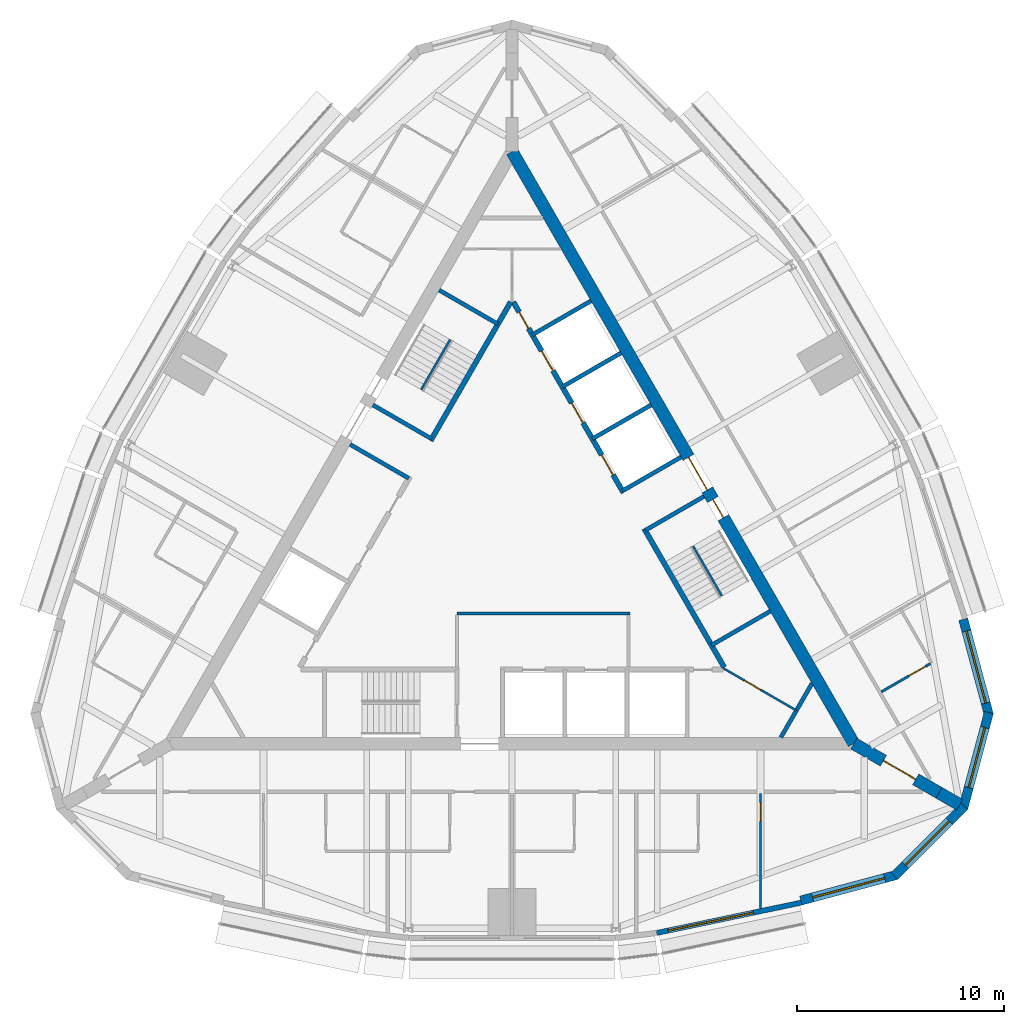
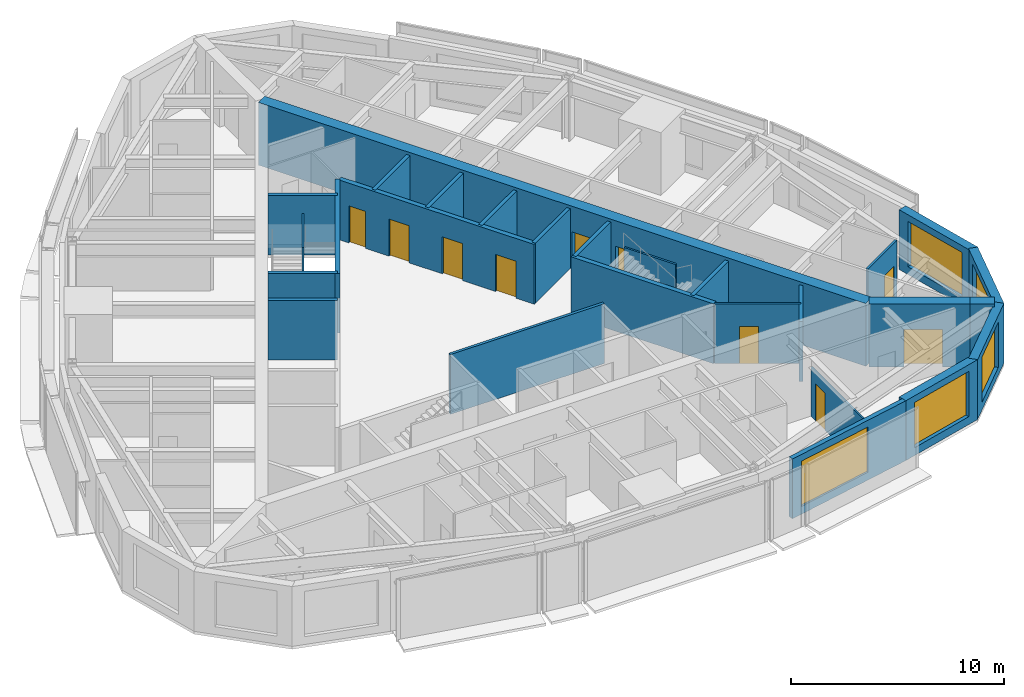
# One storey, part 9 of 12: 27 walls, 10 doors, 5 windows, 15 openings.
"""IFC4 building model written with IfcOpenShell, lengths in metres."""

from ifc_helpers import new_model, si_unit, direction, frame, frame_2d, origin, place, context, subcontext, project, spatial, polyline, rectangle, outline, extrude, material, layer, layer_set, type_object, element, fill, save


model = new_model("IFC4")

# Units and contexts
model_context = context("Model", 3, precision=1e-05, world=origin(), true_north=direction((0.0, 1.0)))
body_context = subcontext(model_context, "Body", "Model", "MODEL_VIEW")
ifc_project = project(units=[si_unit("LENGTHUNIT", "METRE"), si_unit("AREAUNIT", "SQUARE_METRE"), si_unit("VOLUMEUNIT", "CUBIC_METRE"), si_unit("PLANEANGLEUNIT", "RADIAN"), si_unit("MASSUNIT", "GRAM", prefix="KILO")], contexts=[model_context])

# Site, building, storey
site_placement = place(None, origin())
site = spatial("IfcSite", under=ifc_project, at=site_placement, CompositionType="ELEMENT")
building_placement = place(site_placement, origin())
building = spatial("IfcBuilding", under=site, at=building_placement, Name="Trikona Tower", CompositionType="ELEMENT")
storey_placement = place(building_placement, frame((0.0, 0.0, 264.5)))
storey = spatial("IfcBuildingStorey", under=building, at=storey_placement, Name="L70", CompositionType="ELEMENT", Elevation=264.5)

# Wall, opening, door
ifc_material_1 = material(Name="Metal stud and cement board", Category="gypsum")
ifc_layer_1 = layer(ifc_material_1, 0.1201171875)
ifc_layer_set_1 = layer_set([ifc_layer_1], Name="Bathroom wall 120")
wall_type_1 = type_object("IfcWallType", Name="Bathroom wall 120", PredefinedType="PLUMBINGWALL", material=ifc_layer_set_1)
wall_1_placement = place(storey_placement, frame((17.82861328125, -7.027099609375, 0.0), z_axis=(0.0, 0.0, 1.0), x_axis=(0.866035715982, 0.499982138324, 0.0)))
wall_1 = element("IfcWall", 1, at=wall_1_placement, inside=storey, type_object=wall_type_1, Name="Bathroom wall 7005.1", PredefinedType="PLUMBINGWALL", context=body_context, shape_type="SweptSolid", body=[
    extrude(rectangle(XDim=2.73974609375, YDim=0.1201171875, at=frame_2d((1.369873046875, 0.0))), origin(), (0.0, 0.0, 1.0), 3.43505859375),
])
opening_1_placement = place(wall_1_placement, frame((1.550048828125, 0.0, 0.0)))
opening_1 = element("IfcOpeningElement", 2, at=opening_1_placement, cuts=wall_1, Name="Opening D2", PredefinedType="OPENING", context=body_context, shape_type="SweptSolid", body=[
    extrude(rectangle(XDim=0.89990234375, YDim=2.1298828125, at=frame_2d((0.449951171875, 1.06494140625))), frame((0.0, 0.070068359375, 0.0), z_axis=(0.0, -1.0, 0.0), x_axis=(1.0, 0.0, 0.0)), (0.0, 0.0, 1.0), 0.14013671875),
])
ifc_material_2 = material(Name="Steel door frame with solid-core timber leaf", Category="steel")
door_type_1 = type_object("IfcDoorType", Name="Bathroom door 900x2130", OperationType="SLIDING_TO_LEFT", PredefinedType="DOOR", material=ifc_material_2)
door_1_placement = place(opening_1_placement, origin())
door_1 = element("IfcDoor", 3, at=door_1_placement, inside=storey, type_object=door_type_1, Name="Bathroom door 7005.1", OperationType="SLIDING_TO_LEFT", OverallHeight=2.1298828125, OverallWidth=0.89990234375, PredefinedType="DOOR", context=body_context, shape_type="SweptSolid", body=[
    extrude(rectangle(XDim=0.89990234375, YDim=2.1298828125, at=frame_2d((0.449951171875, 1.06494140625))), frame((0.0, 0.02490234375, 0.0), z_axis=(0.0, -1.0, 0.0), x_axis=(1.0, 0.0, 0.0)), (0.0, 0.0, 1.0), 0.050048828125),
])
fill(opening_1, door_1)

# Wall, opening, window
ifc_material_3 = material(Name="Brick-faced precast concrete", Category="masonry")
ifc_layer_2 = layer(ifc_material_3, 0.449951171875)
ifc_layer_set_2 = layer_set([ifc_layer_2], Name="Brick-faced corner wall 450")
wall_type_2 = type_object("IfcWallType", Name="Brick-faced corner wall 450", PredefinedType="SOLIDWALL", material=ifc_layer_set_2)
wall_2_placement = place(storey_placement, frame((13.94189453125, -17.103271484375, 0.0), z_axis=(0.0, 0.0, 1.0), x_axis=(0.965913862671, 0.258863689806, 0.0)))
wall_2 = element("IfcWall", 4, at=wall_2_placement, inside=storey, type_object=wall_type_2, Name="External wall L70-05", PredefinedType="SOLIDWALL", context=body_context, shape_type="SweptSolid", body=[
    extrude(rectangle(XDim=4.78173828125, YDim=0.449951171875, at=frame_2d((2.390869140625, 0.0))), origin(), (0.0, 0.0, 1.0), 3.43505859375),
])
opening_2_placement = place(wall_2_placement, frame((0.5908203125, 0.0, 0.449951171875)))
opening_2 = element("IfcOpeningElement", 5, at=opening_2_placement, cuts=wall_2, Name="Opening W3626", PredefinedType="OPENING", context=body_context, shape_type="SweptSolid", body=[
    extrude(rectangle(XDim=3.60009765625, YDim=2.60009765625, at=frame_2d((1.800048828125, 1.300048828125))), frame((0.0, 0.23486328125, 0.0), z_axis=(0.0, -1.0, 0.0), x_axis=(1.0, 0.0, 0.0)), (0.0, 0.0, 1.0), 0.469970703125),
])
ifc_material_4 = material(Name="Aluminium-framed double glazing", Category="aluminium")
window_type_1 = type_object("IfcWindowType", Name="Window 3600x2600", PartitioningType="SINGLE_PANEL", PredefinedType="WINDOW", material=ifc_material_4)
window_1_placement = place(opening_2_placement, origin())
window_1 = element("IfcWindow", 6, at=window_1_placement, inside=storey, type_object=window_type_1, Name="Window 7004", OverallHeight=2.60009765625, OverallWidth=3.60009765625, PartitioningType="SINGLE_PANEL", PredefinedType="WINDOW", context=body_context, shape_type="SweptSolid", body=[
    extrude(rectangle(XDim=3.60009765625, YDim=2.60009765625, at=frame_2d((1.800048828125, 1.300048828125))), frame((0.0, 0.030029296875, 0.0), z_axis=(0.0, -1.0, 0.0), x_axis=(1.0, 0.0, 0.0)), (0.0, 0.0, 1.0), 0.06005859375),
])
fill(opening_2, window_1)

wall_3_placement = place(storey_placement, frame((18.459716796875, -15.923828125, 0.0), z_axis=(0.0, 0.0, 1.0), x_axis=(0.707081252484, 0.707132308968, 0.0)))
wall_3 = element("IfcWall", 7, at=wall_3_placement, inside=storey, type_object=wall_type_2, Name="External wall L70-06", PredefinedType="SOLIDWALL", context=body_context, shape_type="SweptSolid", body=[
    extrude(outline(polyline([(4.78173828125, 0.22509765625), (4.722900390625, 0.22509765625), (4.37548828125, 0.1318359375), (4.3505859375, 0.22509765625), (0.0, 0.22509765625), (0.0, -0.22509765625), (4.78173828125, -0.22509765625), (4.78173828125, 0.22509765625)])), origin(), (0.0, 0.0, 1.0), 3.43505859375),
])
opening_3_placement = place(wall_3_placement, frame((0.750244140625, 0.0, 0.449951171875)))
opening_3 = element("IfcOpeningElement", 8, at=opening_3_placement, cuts=wall_3, Name="Opening W3026", PredefinedType="OPENING", context=body_context, shape_type="SweptSolid", body=[
    extrude(rectangle(XDim=3.0, YDim=2.60009765625, at=frame_2d((1.5, 1.300048828125))), frame((0.0, 0.23486328125, 0.0), z_axis=(0.0, -1.0, 0.0), x_axis=(1.0, 0.0, 0.0)), (0.0, 0.0, 1.0), 0.469970703125),
])
ifc_material_5 = material(Name="Aluminium-framed double glazing", Category="aluminium")
window_type_2 = type_object("IfcWindowType", Name="Window 3000x2600", PartitioningType="SINGLE_PANEL", PredefinedType="WINDOW", material=ifc_material_5)
window_2_placement = place(opening_3_placement, origin())
window_2 = element("IfcWindow", 9, at=window_2_placement, inside=storey, type_object=window_type_2, Name="Window 7004", OverallHeight=2.60009765625, OverallWidth=3.0, PartitioningType="SINGLE_PANEL", PredefinedType="WINDOW", context=body_context, shape_type="SweptSolid", body=[
    extrude(rectangle(XDim=3.0, YDim=2.60009765625, at=frame_2d((1.5, 1.300048828125))), frame((0.0, 0.030029296875, 0.0), z_axis=(0.0, -1.0, 0.0), x_axis=(1.0, 0.0, 0.0)), (0.0, 0.0, 1.0), 0.06005859375),
])
fill(opening_3, window_2)

wall_4_placement = place(storey_placement, frame((21.78271484375, -12.6435546875, 0.0), z_axis=(0.0, 0.0, 1.0), x_axis=(0.25880328844, 0.965930048136, 0.0)))
wall_4 = element("IfcWall", 10, at=wall_4_placement, inside=storey, type_object=wall_type_2, Name="External wall L70-07", PredefinedType="SOLIDWALL", context=body_context, shape_type="SweptSolid", body=[
    extrude(outline(polyline([(4.78173828125, 0.22509765625), (0.43115234375, 0.22509765625), (0.40625, 0.132080078125), (0.0595703125, 0.22509765625), (0.0, 0.22509765625), (0.0, -0.22509765625), (4.78173828125, -0.22509765625), (4.78173828125, 0.22509765625)])), origin(), (0.0, 0.0, 1.0), 3.43505859375),
])
opening_4_placement = place(wall_4_placement, frame((1.031494140625, 0.0, 0.449951171875)))
opening_4 = element("IfcOpeningElement", 11, at=opening_4_placement, cuts=wall_4, Name="Opening W3026", PredefinedType="OPENING", context=body_context, shape_type="SweptSolid", body=[
    extrude(rectangle(XDim=3.0, YDim=2.60009765625, at=frame_2d((1.5, 1.300048828125))), frame((0.0, 0.23486328125, 0.0), z_axis=(0.0, -1.0, 0.0), x_axis=(1.0, 0.0, 0.0)), (0.0, 0.0, 1.0), 0.469970703125),
])
window_3_placement = place(opening_4_placement, origin())
window_3 = element("IfcWindow", 12, at=window_3_placement, inside=storey, type_object=window_type_2, Name="Window 7005.1", OverallHeight=2.60009765625, OverallWidth=3.0, PartitioningType="SINGLE_PANEL", PredefinedType="WINDOW", context=body_context, shape_type="SweptSolid", body=[
    extrude(rectangle(XDim=3.0, YDim=2.60009765625, at=frame_2d((1.5, 1.300048828125))), frame((0.0, 0.030029296875, 0.0), z_axis=(0.0, -1.0, 0.0), x_axis=(1.0, 0.0, 0.0)), (0.0, 0.0, 1.0), 0.06005859375),
])
fill(opening_4, window_3)

wall_5_placement = place(storey_placement, frame((23.020263671875, -8.14111328125, 0.0), z_axis=(0.0, 0.0, 1.0), x_axis=(-0.25880328844, 0.965930048136, 0.0)))
wall_5 = element("IfcWall", 13, at=wall_5_placement, inside=storey, type_object=wall_type_2, Name="External wall L70-08", PredefinedType="SOLIDWALL", context=body_context, shape_type="SweptSolid", body=[
    extrude(rectangle(XDim=4.78173828125, YDim=0.449951171875, at=frame_2d((2.390869140625, 0.0))), origin(), (0.0, 0.0, 1.0), 3.43505859375),
])
opening_5_placement = place(wall_5_placement, frame((0.5908203125, 0.0, 0.449951171875)))
opening_5 = element("IfcOpeningElement", 14, at=opening_5_placement, cuts=wall_5, Name="Opening W3626", PredefinedType="OPENING", context=body_context, shape_type="SweptSolid", body=[
    extrude(rectangle(XDim=3.60009765625, YDim=2.60009765625, at=frame_2d((1.800048828125, 1.300048828125))), frame((0.0, 0.23486328125, 0.0), z_axis=(0.0, -1.0, 0.0), x_axis=(1.0, 0.0, 0.0)), (0.0, 0.0, 1.0), 0.469970703125),
])
window_4_placement = place(opening_5_placement, origin())
window_4 = element("IfcWindow", 15, at=window_4_placement, inside=storey, type_object=window_type_1, Name="Window 7005.1", OverallHeight=2.60009765625, OverallWidth=3.60009765625, PartitioningType="SINGLE_PANEL", PredefinedType="WINDOW", context=body_context, shape_type="SweptSolid", body=[
    extrude(rectangle(XDim=3.60009765625, YDim=2.60009765625, at=frame_2d((1.800048828125, 1.300048828125))), frame((0.0, 0.030029296875, 0.0), z_axis=(0.0, -1.0, 0.0), x_axis=(1.0, 0.0, 0.0)), (0.0, 0.0, 1.0), 0.06005859375),
])
fill(opening_5, window_4)

# Wall, opening, door
ifc_material_6 = material(Name="Concrete f'c 10000 psi", Category="concrete")
ifc_layer_3 = layer(ifc_material_6, 0.60009765625)
ifc_layer_set_3 = layer_set([ifc_layer_3], Name="Buttress wall 600")
wall_type_3 = type_object("IfcWallType", Name="Buttress wall 600", PredefinedType="SHEAR", material=ifc_layer_set_3)
wall_6_placement = place(storey_placement, frame((16.5, -9.5263671875, 0.0), z_axis=(0.0, 0.0, 1.0), x_axis=(0.866031398331, -0.499989616998, 0.0)))
wall_6 = element("IfcWall", 16, at=wall_6_placement, inside=storey, type_object=wall_type_3, Name="Buttress wall 1", PredefinedType="SHEAR", context=body_context, shape_type="SweptSolid", body=[
    extrude(rectangle(XDim=4.74609375, YDim=0.60009765625, at=frame_2d((2.373046875, 0.0))), origin(), (0.0, 0.0, 1.0), 3.60009765625),
])
opening_6_placement = place(wall_6_placement, frame((1.64990234375, 0.0, 0.0)))
opening_6 = element("IfcOpeningElement", 17, at=opening_6_placement, cuts=wall_6, Name="Opening D10", PredefinedType="OPENING", context=body_context, shape_type="SweptSolid", body=[
    extrude(rectangle(XDim=1.800048828125, YDim=2.1298828125, at=frame_2d((0.89990234375, 1.06494140625))), frame((0.0, 0.31005859375, 0.0), z_axis=(0.0, -1.0, 0.0), x_axis=(1.0, 0.0, 0.0)), (0.0, 0.0, 1.0), 0.6201171875),
])
ifc_material_7 = material(Name="Hollow metal door and frame", Category="steel")
door_type_2 = type_object("IfcDoorType", Name="Cross-corridor door pair 1800x2130", OperationType="DOUBLE_DOOR_DOUBLE_SWING", PredefinedType="DOOR", material=ifc_material_7)
door_2_placement = place(opening_6_placement, origin())
door_2 = element("IfcDoor", 18, at=door_2_placement, inside=storey, type_object=door_type_2, Name="Cross-corridor door 1", OperationType="DOUBLE_DOOR_DOUBLE_SWING", OverallHeight=2.1298828125, OverallWidth=1.800048828125, PredefinedType="DOOR", context=body_context, shape_type="SweptSolid", body=[
    extrude(rectangle(XDim=1.800048828125, YDim=2.1298828125, at=frame_2d((0.89990234375, 1.06494140625))), frame((0.0, 0.02490234375, 0.0), z_axis=(0.0, -1.0, 0.0), x_axis=(1.0, 0.0, 0.0)), (0.0, 0.0, 1.0), 0.050048828125),
])
fill(opening_6, door_2)

# Wall
wall_7_placement = place(storey_placement, frame((20.6103515625, -11.8994140625, 0.0), z_axis=(0.0, 0.0, 1.0), x_axis=(0.866009537788, -0.500027479704, 0.0)))
element("IfcWall", 19, at=wall_7_placement, inside=storey, type_object=wall_type_3, Name="Buttress wall 1 part 2", PredefinedType="SHEAR", context=body_context, shape_type="SweptSolid", body=[
    extrude(rectangle(XDim=1.15478515625, YDim=0.60009765625, at=frame_2d((0.577392578125, 0.0))), origin(), (0.0, 0.0, 1.0), 3.60009765625),
])

# Wall, openings, doors
ifc_material_8 = material(Name="Concrete f'c 10000 psi", Category="concrete")
ifc_layer_4 = layer(ifc_material_8, 0.60009765625)
ifc_layer_set_4 = layer_set([ifc_layer_4], Name="Core wall 600")
wall_type_4 = type_object("IfcWallType", Name="Core wall 600", PredefinedType="SHEAR", material=ifc_layer_set_4)
wall_8_placement = place(storey_placement, frame((16.5, -9.5263671875, 0.0), z_axis=(0.0, 0.0, 1.0), x_axis=(-0.499999749417, 0.866025548458, 0.0)))
wall_8 = element("IfcWall", 20, at=wall_8_placement, inside=storey, type_object=wall_type_4, Name="Core wall B", PredefinedType="SHEAR", context=body_context, shape_type="SweptSolid", body=[
    extrude(rectangle(XDim=33.0, YDim=0.60009765625, at=frame_2d((16.5, 0.0))), origin(), (0.0, 0.0, 1.0), 3.60009765625),
])
opening_7_placement = place(wall_8_placement, frame((14.14990234375, 0.0, 0.0)))
opening_7 = element("IfcOpeningElement", 21, at=opening_7_placement, cuts=wall_8, Name="Opening D6", PredefinedType="OPENING", context=body_context, shape_type="SweptSolid", body=[
    extrude(rectangle(XDim=1.800048828125, YDim=2.1298828125, at=frame_2d((0.89990234375, 1.06494140625))), frame((0.0, 0.31005859375, 0.0), z_axis=(0.0, -1.0, 0.0), x_axis=(1.0, 0.0, 0.0)), (0.0, 0.0, 1.0), 0.6201171875),
])
opening_8_placement = place(wall_8_placement, frame((12.60009765625, 0.0, 0.0)))
opening_8 = element("IfcOpeningElement", 22, at=opening_8_placement, cuts=wall_8, Name="Opening D5", PredefinedType="OPENING", context=body_context, shape_type="SweptSolid", body=[
    extrude(rectangle(XDim=1.0, YDim=2.1298828125, at=frame_2d((0.5, 1.06494140625))), frame((0.0, 0.31005859375, 0.0), z_axis=(0.0, -1.0, 0.0), x_axis=(1.0, 0.0, 0.0)), (0.0, 0.0, 1.0), 0.6201171875),
])
ifc_material_9 = material(Name="Hollow metal door and frame", Category="steel")
door_type_3 = type_object("IfcDoorType", Name="Lobby door pair 1800x2130", OperationType="DOUBLE_DOOR_SINGLE_SWING", PredefinedType="DOOR", material=ifc_material_9)
door_3_placement = place(opening_7_placement, origin())
door_3 = element("IfcDoor", 23, at=door_3_placement, inside=storey, type_object=door_type_3, Name="Lift lobby door B", OperationType="DOUBLE_DOOR_SINGLE_SWING", OverallHeight=2.1298828125, OverallWidth=1.800048828125, PredefinedType="DOOR", context=body_context, shape_type="SweptSolid", body=[
    extrude(rectangle(XDim=1.800048828125, YDim=2.1298828125, at=frame_2d((0.89990234375, 1.06494140625))), frame((0.0, 0.02490234375, 0.0), z_axis=(0.0, -1.0, 0.0), x_axis=(1.0, 0.0, 0.0)), (0.0, 0.0, 1.0), 0.050048828125),
])
fill(opening_7, door_3)
ifc_material_10 = material(Name="Hollow metal door and frame", Category="steel")
door_type_4 = type_object("IfcDoorType", Name="Stair door 1000x2130", OperationType="SINGLE_SWING_LEFT", PredefinedType="DOOR", material=ifc_material_10)
door_4_placement = place(opening_8_placement, origin())
door_4 = element("IfcDoor", 24, at=door_4_placement, inside=storey, type_object=door_type_4, Name="Stair B door", OperationType="SINGLE_SWING_RIGHT", OverallHeight=2.1298828125, OverallWidth=1.0, PredefinedType="DOOR", context=body_context, shape_type="SweptSolid", body=[
    extrude(rectangle(XDim=1.0, YDim=2.1298828125, at=frame_2d((0.5, 1.06494140625))), frame((0.0, 0.02490234375, 0.0), z_axis=(0.0, -1.0, 0.0), x_axis=(1.0, 0.0, 0.0)), (0.0, 0.0, 1.0), 0.050048828125),
])
fill(opening_8, door_4)

# Wall
ifc_material_11 = material(Name="Concrete f'c 8000 psi", Category="concrete")
ifc_layer_5 = layer(ifc_material_11, 0.25)
ifc_layer_set_5 = layer_set([ifc_layer_5], Name="Hub wall 250")
wall_type_5 = type_object("IfcWallType", Name="Hub wall 250", PredefinedType="SOLIDWALL", material=ifc_layer_set_5)
wall_9_placement = place(storey_placement, frame((10.245361328125, -5.843017578125, 0.0), z_axis=(0.0, 0.0, 1.0), x_axis=(-0.499993009313, 0.866029439822, 0.0)))
element("IfcWall", 25, at=wall_9_placement, inside=storey, type_object=wall_type_5, Name="Lift lobby wall B1", PredefinedType="SOLIDWALL", context=body_context, shape_type="SweptSolid", body=[
    extrude(rectangle(XDim=7.73291015625, YDim=0.25, at=frame_2d((3.866455078125, 0.0))), origin(), (0.0, 0.0, 1.0), 3.43505859375),
])

# Wall, openings, doors
wall_10_placement = place(storey_placement, frame((5.37890625, 2.5859375, 0.0), z_axis=(0.0, 0.0, 1.0), x_axis=(-0.500001375892, 0.866024609411, 0.0)))
wall_10 = element("IfcWall", 26, at=wall_10_placement, inside=storey, type_object=wall_type_5, Name="Lift lobby wall B2", PredefinedType="SOLIDWALL", context=body_context, shape_type="SweptSolid", body=[
    extrude(rectangle(XDim=10.6328125, YDim=0.25, at=frame_2d((5.31640625, 0.0))), origin(), (0.0, 0.0, 1.0), 3.43505859375),
])
opening_9_placement = place(wall_10_placement, frame((9.1640625, 0.0, 0.0)))
opening_9 = element("IfcOpeningElement", 27, at=opening_9_placement, cuts=wall_10, Name="Opening D14", PredefinedType="OPENING", context=body_context, shape_type="SweptSolid", body=[
    extrude(rectangle(XDim=0.89990234375, YDim=2.1298828125, at=frame_2d((0.449951171875, 1.06494140625))), frame((0.0, 0.135009765625, 0.0), z_axis=(0.0, -1.0, 0.0), x_axis=(1.0, 0.0, 0.0)), (0.0, 0.0, 1.0), 0.27001953125),
])
opening_10_placement = place(wall_10_placement, frame((1.0, 0.0, 0.0)))
opening_10 = element("IfcOpeningElement", 28, at=opening_10_placement, cuts=wall_10, Name="Opening LD", PredefinedType="OPENING", context=body_context, shape_type="SweptSolid", body=[
    extrude(rectangle(XDim=1.10009765625, YDim=2.1298828125, at=frame_2d((0.550048828125, 1.06494140625))), frame((0.0, 0.135009765625, 0.0), z_axis=(0.0, -1.0, 0.0), x_axis=(1.0, 0.0, 0.0)), (0.0, 0.0, 1.0), 0.27001953125),
])
opening_11_placement = place(wall_10_placement, frame((3.89990234375, 0.0, 0.0)))
opening_11 = element("IfcOpeningElement", 29, at=opening_11_placement, cuts=wall_10, Name="Opening LD", PredefinedType="OPENING", context=body_context, shape_type="SweptSolid", body=[
    extrude(rectangle(XDim=1.10009765625, YDim=2.1298828125, at=frame_2d((0.550048828125, 1.06494140625))), frame((0.0, 0.135009765625, 0.0), z_axis=(0.0, -1.0, 0.0), x_axis=(1.0, 0.0, 0.0)), (0.0, 0.0, 1.0), 0.27001953125),
])
opening_12_placement = place(wall_10_placement, frame((6.800048828125, 0.0, 0.0)))
opening_12 = element("IfcOpeningElement", 30, at=opening_12_placement, cuts=wall_10, Name="Opening LD", PredefinedType="OPENING", context=body_context, shape_type="SweptSolid", body=[
    extrude(rectangle(XDim=1.10009765625, YDim=2.1298828125, at=frame_2d((0.550048828125, 1.06494140625))), frame((0.0, 0.135009765625, 0.0), z_axis=(0.0, -1.0, 0.0), x_axis=(1.0, 0.0, 0.0)), (0.0, 0.0, 1.0), 0.27001953125),
])
ifc_material_12 = material(Name="Stainless steel lift landing door", Category="steel")
door_type_5 = type_object("IfcDoorType", Name="Lift landing door 1100x2130", OperationType="DOUBLE_DOOR_SLIDING", PredefinedType="USERDEFINED", material=ifc_material_12)
door_5_placement = place(opening_10_placement, origin())
door_5 = element("IfcDoor", 31, at=door_5_placement, inside=storey, type_object=door_type_5, Name="Lift landing door L3-1", ObjectType="LIFT LANDING DOOR", OperationType="DOUBLE_DOOR_SLIDING", OverallHeight=2.1298828125, OverallWidth=1.10009765625, PredefinedType="USERDEFINED", context=body_context, shape_type="SweptSolid", body=[
    extrude(rectangle(XDim=1.10009765625, YDim=2.1298828125, at=frame_2d((0.550048828125, 1.06494140625))), frame((0.0, 0.02490234375, 0.0), z_axis=(0.0, -1.0, 0.0), x_axis=(1.0, 0.0, 0.0)), (0.0, 0.0, 1.0), 0.050048828125),
])
fill(opening_10, door_5)
door_6_placement = place(opening_11_placement, origin())
door_6 = element("IfcDoor", 32, at=door_6_placement, inside=storey, type_object=door_type_5, Name="Lift landing door L3-2", ObjectType="LIFT LANDING DOOR", OperationType="DOUBLE_DOOR_SLIDING", OverallHeight=2.1298828125, OverallWidth=1.10009765625, PredefinedType="USERDEFINED", context=body_context, shape_type="SweptSolid", body=[
    extrude(rectangle(XDim=1.10009765625, YDim=2.1298828125, at=frame_2d((0.550048828125, 1.06494140625))), frame((0.0, 0.02490234375, 0.0), z_axis=(0.0, -1.0, 0.0), x_axis=(1.0, 0.0, 0.0)), (0.0, 0.0, 1.0), 0.050048828125),
])
fill(opening_11, door_6)
door_7_placement = place(opening_12_placement, origin())
door_7 = element("IfcDoor", 33, at=door_7_placement, inside=storey, type_object=door_type_5, Name="Lift landing door L3-3", ObjectType="LIFT LANDING DOOR", OperationType="DOUBLE_DOOR_SLIDING", OverallHeight=2.1298828125, OverallWidth=1.10009765625, PredefinedType="USERDEFINED", context=body_context, shape_type="SweptSolid", body=[
    extrude(rectangle(XDim=1.10009765625, YDim=2.1298828125, at=frame_2d((0.550048828125, 1.06494140625))), frame((0.0, 0.02490234375, 0.0), z_axis=(0.0, -1.0, 0.0), x_axis=(1.0, 0.0, 0.0)), (0.0, 0.0, 1.0), 0.050048828125),
])
fill(opening_12, door_7)
ifc_material_13 = material(Name="Hollow metal door and frame", Category="steel")
door_type_6 = type_object("IfcDoorType", Name="Service room door 900x2130", OperationType="SINGLE_SWING_LEFT", PredefinedType="DOOR", material=ifc_material_13)
door_8_placement = place(opening_9_placement, origin())
door_8 = element("IfcDoor", 34, at=door_8_placement, inside=storey, type_object=door_type_6, Name="Door Ice and vending ICE", OperationType="SINGLE_SWING_RIGHT", OverallHeight=2.1298828125, OverallWidth=0.89990234375, PredefinedType="DOOR", context=body_context, shape_type="SweptSolid", body=[
    extrude(rectangle(XDim=0.89990234375, YDim=2.1298828125, at=frame_2d((0.449951171875, 1.06494140625))), frame((0.0, 0.02490234375, 0.0), z_axis=(0.0, -1.0, 0.0), x_axis=(1.0, 0.0, 0.0)), (0.0, 0.0, 1.0), 0.050048828125),
])
fill(opening_9, door_8)

# Wall
wall_11_placement = place(storey_placement, frame((-0.0625, 11.794189453125, 0.0), z_axis=(0.0, 0.0, 1.0), x_axis=(-0.500006680225, -0.86602154692, 0.0)))
element("IfcWall", 35, at=wall_11_placement, inside=storey, type_object=wall_type_5, Name="Lift lobby wall C1", PredefinedType="SOLIDWALL", context=body_context, shape_type="SweptSolid", body=[
    extrude(rectangle(XDim=7.73291015625, YDim=0.25, at=frame_2d((3.866455078125, 0.0))), origin(), (0.0, 0.0, 1.0), 3.43505859375),
])

# Wall, opening, window
ifc_material_14 = material(Name="Insulated precast concrete spandrel panel", Category="concrete")
ifc_layer_6 = layer(ifc_material_14, 0.25)
ifc_layer_set_6 = layer_set([ifc_layer_6], Name="Inner skin wall 250")
wall_type_6 = type_object("IfcWallType", Name="Inner skin wall 250", PredefinedType="STANDARD", material=ifc_layer_set_6)
wall_12_placement = place(storey_placement, frame((6.974365234375, -18.668212890625, 0.0), z_axis=(0.0, 0.0, 1.0), x_axis=(0.978654320409, 0.205513311355, 0.0)))
wall_12 = element("IfcWall", 36, at=wall_12_placement, inside=storey, type_object=wall_type_6, Name="External wall L70-04", PredefinedType="STANDARD", context=body_context, shape_type="SweptSolid", body=[
    extrude(rectangle(XDim=7.152587890625, YDim=0.25, at=frame_2d((3.576171875, 0.0))), origin(), (0.0, 0.0, 1.0), 3.43505859375),
])
opening_13_placement = place(wall_12_placement, frame((0.576904296875, 0.0, 0.449951171875)))
opening_13 = element("IfcOpeningElement", 37, at=opening_13_placement, cuts=wall_12, Name="Opening W4226", PredefinedType="OPENING", context=body_context, shape_type="SweptSolid", body=[
    extrude(rectangle(XDim=4.199951171875, YDim=2.60009765625, at=frame_2d((2.10009765625, 1.300048828125))), frame((0.0, 0.135009765625, 0.0), z_axis=(0.0, -1.0, 0.0), x_axis=(1.0, 0.0, 0.0)), (0.0, 0.0, 1.0), 0.27001953125),
])
ifc_material_15 = material(Name="Aluminium-framed double glazing", Category="aluminium")
window_type_3 = type_object("IfcWindowType", Name="Window 4200x2600", PartitioningType="SINGLE_PANEL", PredefinedType="WINDOW", material=ifc_material_15)
window_5_placement = place(opening_13_placement, origin())
window_5 = element("IfcWindow", 38, at=window_5_placement, inside=storey, type_object=window_type_3, Name="Window 7004.1", OverallHeight=2.60009765625, OverallWidth=4.199951171875, PartitioningType="SINGLE_PANEL", PredefinedType="WINDOW", context=body_context, shape_type="SweptSolid", body=[
    extrude(rectangle(XDim=4.199951171875, YDim=2.60009765625, at=frame_2d((2.10009765625, 1.300048828125))), frame((0.0, 0.030029296875, 0.0), z_axis=(0.0, -1.0, 0.0), x_axis=(1.0, 0.0, 0.0)), (0.0, 0.0, 1.0), 0.06005859375),
])
fill(opening_13, window_5)

# Walls
ifc_material_16 = material(Name="Metal stud and gypsum board, 2-hour shaft wall", Category="gypsum")
ifc_layer_7 = layer(ifc_material_16, 0.14990234375)
ifc_layer_set_7 = layer_set([ifc_layer_7], Name="Lobby wall 150")
wall_type_7 = type_object("IfcWallType", Name="Lobby wall 150", PredefinedType="PARTITIONING", material=ifc_layer_set_7)
wall_13_placement = place(storey_placement, frame((-2.64990234375, -3.251220703125, 0.0), z_axis=(0.0, 0.0, 1.0), x_axis=(1.0, 0.0, 0.0)))
element("IfcWall", 39, at=wall_13_placement, inside=storey, type_object=wall_type_7, Name="Fire service lift lobby wall 1", PredefinedType="PARTITIONING", context=body_context, shape_type="SweptSolid", body=[
    extrude(rectangle(XDim=8.349853515625, YDim=0.14990234375, at=frame_2d((4.1748046875, 0.0))), origin(), (0.0, 0.0, 1.0), 3.43505859375),
])
ifc_material_17 = material(Name="Concrete f'c 8000 psi", Category="concrete")
ifc_layer_8 = layer(ifc_material_17, 0.199951171875)
ifc_layer_set_8 = layer_set([ifc_layer_8], Name="Shaft wall 200")
wall_type_8 = type_object("IfcWallType", Name="Shaft wall 200", PredefinedType="SOLIDWALL", material=ifc_layer_set_8)
for number, where, z_axis, x_axis, name in (
    (40, (5.3291015625, 2.672607421875, 0.0), (0.0, 0.0, 1.0), (0.866027924134, 0.499995634601, 0.0), "Shaft wall B3"),
    (41, (3.87890625, 5.18408203125, 0.0), (0.0, 0.0, 1.0), (0.866027924134, 0.499995634601, 0.0), "Shaft wall B4"),
    (42, (2.428955078125, 7.695556640625, 0.0), (0.0, 0.0, 1.0), (0.866027924134, 0.499995634601, 0.0), "Shaft wall B5"),
    (43, (0.97900390625, 10.20703125, 0.0), (0.0, 0.0, 1.0), (0.866027924134, 0.499995634601, 0.0), "Shaft wall B6"),
    (44, (-4.97900390625, 3.27880859375, 0.0), (0.0, 0.0, 1.0), (-0.866027924134, 0.499995634601, 0.0), "Shaft wall C3"),
):
    element("IfcWall", number, at=place(storey_placement, frame(where, z_axis=z_axis, x_axis=x_axis)), inside=storey, type_object=wall_type_8, Name=name, PredefinedType="SOLIDWALL", context=body_context, shape_type="SweptSolid", body=[
        extrude(rectangle(XDim=3.27490234375, YDim=0.199951171875, at=frame_2d((1.637451171875, 0.0))), origin(), (0.0, 0.0, 1.0), 3.43505859375),
    ])
wall_14_placement = place(storey_placement, frame((14.479248046875, -6.626220703125, 0.0), z_axis=(0.0, 0.0, 1.0), x_axis=(-0.499952404951, -0.866052881055, 0.0)))
element("IfcWall", 45, at=wall_14_placement, inside=storey, type_object=wall_type_8, Name="Riser wall L70-RS1", PredefinedType="SOLIDWALL", context=body_context, shape_type="SweptSolid", body=[
    extrude(rectangle(XDim=3.002197265625, YDim=0.199951171875, at=frame_2d((1.5009765625, 0.0))), origin(), (0.0, 0.0, 1.0), 3.43505859375),
])
ifc_material_18 = material(Name="Concrete f'c 8000 psi", Category="concrete")
ifc_layer_9 = layer(ifc_material_18, 0.199951171875)
ifc_layer_set_9 = layer_set([ifc_layer_9], Name="Shaft wall 200 load-bearing")
wall_type_9 = type_object("IfcWallType", Name="Shaft wall 200 load-bearing", PredefinedType="SOLIDWALL", material=ifc_layer_set_9)
wall_15_placement = place(storey_placement, frame((9.62890625, -4.775390625, 0.0), z_axis=(0.0, 0.0, 1.0), x_axis=(0.865995643347, 0.500051543047, 0.0)))
element("IfcWall", 46, at=wall_15_placement, inside=storey, type_object=wall_type_9, Name="Shaft wall B1", PredefinedType="SOLIDWALL", context=body_context, shape_type="SweptSolid", body=[
    extrude(rectangle(XDim=3.275146484375, YDim=0.199951171875, at=frame_2d((1.6376953125, 0.0))), origin(), (0.0, 0.0, 1.0), 3.43505859375),
])
for number, where, z_axis, x_axis, name in (
    (47, (6.428955078125, 0.767333984375, 0.0), (0.0, 0.0, 1.0), (0.866027924134, 0.499995634601, 0.0), "Shaft wall B2"),
    (48, (-0.678955078125, 10.7265625, 0.0), (0.0, 0.0, 1.0), (-0.866027924134, 0.499995634601, 0.0), "Shaft wall C1"),
    (49, (-3.87890625, 5.18408203125, 0.0), (0.0, 0.0, 1.0), (-0.866027924134, 0.499995634601, 0.0), "Shaft wall C2"),
):
    element("IfcWall", number, at=place(storey_placement, frame(where, z_axis=z_axis, x_axis=x_axis)), inside=storey, type_object=wall_type_9, Name=name, PredefinedType="SOLIDWALL", context=body_context, shape_type="SweptSolid", body=[
        extrude(rectangle(XDim=3.27490234375, YDim=0.199951171875, at=frame_2d((1.637451171875, 0.0))), origin(), (0.0, 0.0, 1.0), 3.43505859375),
    ])
ifc_material_19 = material(Name="Concrete f'c 5000 psi", Category="concrete")
ifc_layer_10 = layer(ifc_material_19, 0.10009765625)
ifc_layer_set_10 = layer_set([ifc_layer_10], Name="Stair spine wall 100")
wall_type_10 = type_object("IfcWallType", Name="Stair spine wall 100", PredefinedType="SOLIDWALL", material=ifc_layer_set_10)
for number, where, z_axis, x_axis, name in (
    (50, (10.134765625, -2.4013671875, 0.0), (0.0, 0.0, 1.0), (-0.499992232847, 0.866029888106, 0.0), "Stair B spine wall L70"),
    (51, (-2.98779296875, 9.9775390625, 0.0), (0.0, 0.0, 1.0), (-0.499992232847, -0.866029888106, 0.0), "Stair C spine wall L70"),
):
    element("IfcWall", number, at=place(storey_placement, frame(where, z_axis=z_axis, x_axis=x_axis)), inside=storey, type_object=wall_type_10, Name=name, PredefinedType="SOLIDWALL", context=body_context, shape_type="SweptSolid", body=[
        extrude(rectangle(XDim=2.7939453125, YDim=0.10009765625, at=frame_2d((1.39697265625, 0.0))), origin(), (0.0, 0.0, 1.0), 3.60009765625),
    ])

# Wall, opening, door
ifc_material_20 = material(Name="Metal stud and gypsum board, acoustic", Category="gypsum")
ifc_layer_11 = layer(ifc_material_20, 0.10009765625)
ifc_layer_set_11 = layer_set([ifc_layer_11], Name="Suite partition 100")
wall_type_11 = type_object("IfcWallType", Name="Suite partition 100", PredefinedType="PARTITIONING", material=ifc_layer_set_11)
wall_16_placement = place(storey_placement, frame((12.0, -11.92626953125, 0.0), z_axis=(0.0, 0.0, 1.0), x_axis=(0.0, -1.0, 0.0)))
wall_16 = element("IfcWall", 52, at=wall_16_placement, inside=storey, type_object=wall_type_11, Name="Suite partition L70 F1 u12", PredefinedType="PARTITIONING", context=body_context, shape_type="SweptSolid", body=[
    extrude(rectangle(XDim=5.558837890625, YDim=0.10009765625, at=frame_2d((2.779296875, 0.0))), origin(), (0.0, 0.0, 1.0), 2.82275390625),
])
opening_14_placement = place(wall_16_placement, frame((0.449951171875, 0.0, 0.0)))
opening_14 = element("IfcOpeningElement", 53, at=opening_14_placement, cuts=wall_16, Name="Opening D13", PredefinedType="OPENING", context=body_context, shape_type="SweptSolid", body=[
    extrude(rectangle(XDim=0.89990234375, YDim=2.1298828125, at=frame_2d((0.449951171875, 1.06494140625))), frame((0.0, 0.06005859375, 0.0), z_axis=(0.0, -1.0, 0.0), x_axis=(1.0, 0.0, 0.0)), (0.0, 0.0, 1.0), 0.1201171875),
])
ifc_material_21 = material(Name="Steel door frame with solid-core timber leaf", Category="steel")
door_type_7 = type_object("IfcDoorType", Name="Suite door 900x2130", OperationType="SINGLE_SWING_LEFT", PredefinedType="DOOR", material=ifc_material_21)
door_9_placement = place(opening_14_placement, origin())
door_9 = element("IfcDoor", 54, at=door_9_placement, inside=storey, type_object=door_type_7, Name="Suite door 7004", OperationType="SINGLE_SWING_LEFT", OverallHeight=2.1298828125, OverallWidth=0.89990234375, PredefinedType="DOOR", context=body_context, shape_type="SweptSolid", body=[
    extrude(rectangle(XDim=0.89990234375, YDim=2.1298828125, at=frame_2d((0.449951171875, 1.06494140625))), frame((0.0, 0.02490234375, 0.0), z_axis=(0.0, -1.0, 0.0), x_axis=(1.0, 0.0, 0.0)), (0.0, 0.0, 1.0), 0.050048828125),
])
fill(opening_14, door_9)

wall_17_placement = place(storey_placement, frame((13.728759765625, -7.92626953125, 0.0), z_axis=(0.0, 0.0, 1.0), x_axis=(-0.866029956157, 0.499992114976, 0.0)))
wall_17 = element("IfcWall", 55, at=wall_17_placement, inside=storey, type_object=wall_type_11, Name="Store partition L70-RS1", PredefinedType="PARTITIONING", context=body_context, shape_type="SweptSolid", body=[
    extrude(rectangle(XDim=4.0751953125, YDim=0.10009765625, at=frame_2d((2.03759765625, 0.0))), origin(), (0.0, 0.0, 1.0), 3.43505859375),
])
opening_15_placement = place(wall_17_placement, frame((1.9951171875, 0.0, 0.0)))
opening_15 = element("IfcOpeningElement", 56, at=opening_15_placement, cuts=wall_17, Name="Opening D15", PredefinedType="OPENING", context=body_context, shape_type="SweptSolid", body=[
    extrude(rectangle(XDim=0.89990234375, YDim=2.1298828125, at=frame_2d((0.449951171875, 1.06494140625))), frame((0.0, 0.06005859375, 0.0), z_axis=(0.0, -1.0, 0.0), x_axis=(1.0, 0.0, 0.0)), (0.0, 0.0, 1.0), 0.1201171875),
])
ifc_material_22 = material(Name="Steel door frame with solid-core timber leaf", Category="steel")
door_type_8 = type_object("IfcDoorType", Name="Store door 900x2130", OperationType="SINGLE_SWING_LEFT", PredefinedType="DOOR", material=ifc_material_22)
door_10_placement = place(opening_15_placement, origin())
door_10 = element("IfcDoor", 57, at=door_10_placement, inside=storey, type_object=door_type_8, Name="Door Luggage store LUG", OperationType="SINGLE_SWING_RIGHT", OverallHeight=2.1298828125, OverallWidth=0.89990234375, PredefinedType="DOOR", context=body_context, shape_type="SweptSolid", body=[
    extrude(rectangle(XDim=0.89990234375, YDim=2.1298828125, at=frame_2d((0.449951171875, 1.06494140625))), frame((0.0, 0.02490234375, 0.0), z_axis=(0.0, -1.0, 0.0), x_axis=(1.0, 0.0, 0.0)), (0.0, 0.0, 1.0), 0.050048828125),
])
fill(opening_15, door_10)

save(model, "model.ifc")
